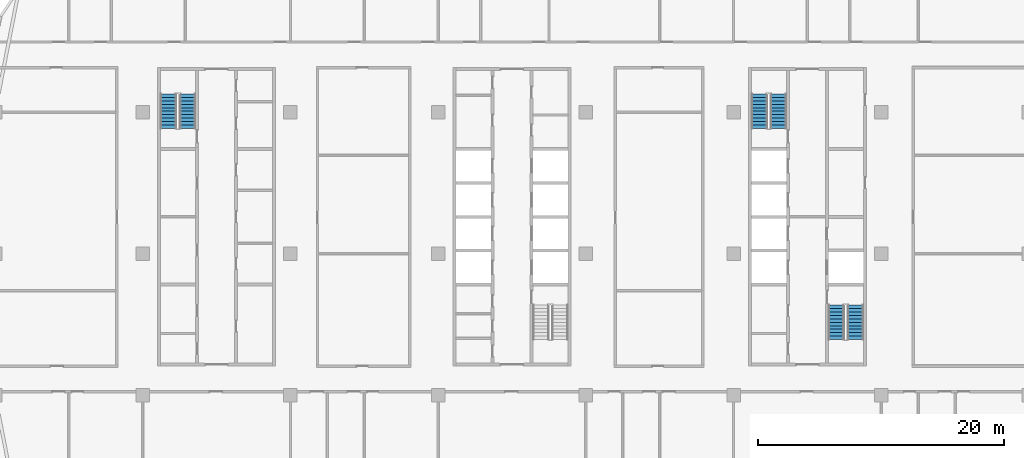
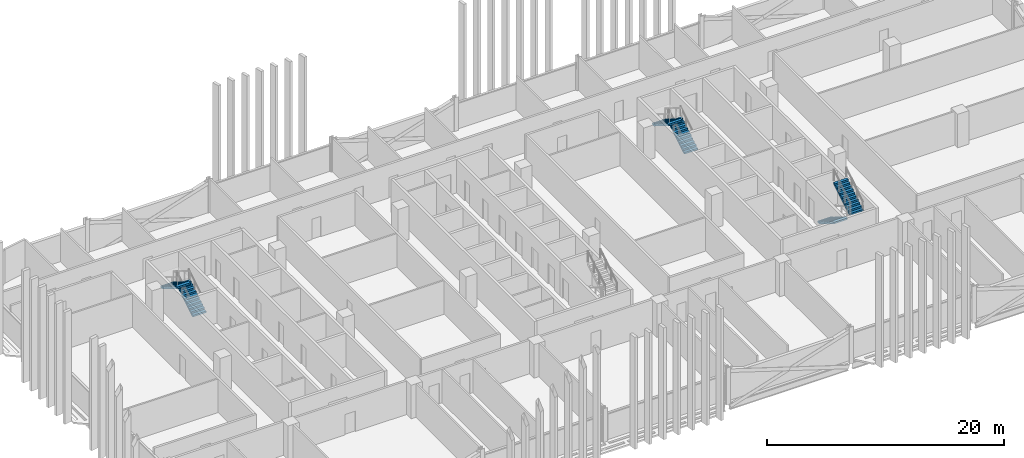
# One storey, part 19 of 30: 6 stair flights, 3 elements without a shape of their own.
"""IFC4 building model written with IfcOpenShell, lengths in metres."""

from ifc_helpers import new_model, si_unit, direction, frame, origin, place, context, subcontext, project, spatial, polyline, outline, extrude, material, type_object, element, aggregate, save


model = new_model("IFC4")

# Units and contexts
model_context = context("Model", 3, precision=1e-05, world=origin(), true_north=direction((0.0, 1.0)))
body_context = subcontext(model_context, "Body", "Model", "MODEL_VIEW")
ifc_project = project(units=[si_unit("LENGTHUNIT", "METRE"), si_unit("AREAUNIT", "SQUARE_METRE"), si_unit("VOLUMEUNIT", "CUBIC_METRE"), si_unit("PLANEANGLEUNIT", "RADIAN"), si_unit("MASSUNIT", "GRAM", prefix="KILO")], contexts=[model_context])

# Site, building, storey
site_placement = place(None, origin())
site = spatial("IfcSite", under=ifc_project, at=site_placement, CompositionType="ELEMENT")
building_placement = place(site_placement, origin())
building = spatial("IfcBuilding", under=site, at=building_placement, Name="Mahtab Terrace Research Tower", CompositionType="ELEMENT")
storey_placement = place(building_placement, frame((0.0, 0.0, 209.10009765625)))
storey = spatial("IfcBuildingStorey", under=building, at=storey_placement, Name="L50", CompositionType="ELEMENT", Elevation=209.10009765625)

# Stair, stair flights
ifc_material_1 = material(Name="Exit stair half-turn")
stair_type = type_object("IfcStairType", Name="Exit stair half-turn", PredefinedType="HALF_TURN_STAIR", material=ifc_material_1)
stair_1_placement = place(storey_placement, origin())
stair_1 = element("IfcStair", 1, at=stair_1_placement, inside=storey, type_object=stair_type, Name="L50 Protected exit stair ST1", PredefinedType="HALF_TURN_STAIR")
ifc_material_2 = material(Name="Concrete C40/50", Category="concrete")
stair_flight_type = type_object("IfcStairFlightType", Name="Exit stair flight 1300", PredefinedType="STRAIGHT", material=ifc_material_2)
stair_flight_1_placement = place(storey_placement, frame((-26.35009765625, 10.175048828125, 0.0), z_axis=(0.0, 0.0, 1.0), x_axis=(0.0, 1.0, 0.0)))
stair_flight_1 = element("IfcStairFlight", 2, at=stair_flight_1_placement, type_object=stair_flight_type, Name="ST1 flight 1", NumberOfRisers=11, NumberOfTreads=10, PredefinedType="STRAIGHT", RiserHeight=0.172727273, TreadLength=0.28, context=body_context, shape_type="SweptSolid", body=[
    extrude(outline(polyline([(0.0, 0.0), (0.0, 0.172607421875), (0.280029296875, 0.172607421875), (0.280029296875, 0.345458984375), (0.56005859375, 0.345458984375), (0.56005859375, 0.51806640625), (0.840087890625, 0.51806640625), (0.840087890625, 0.69091796875), (1.1201171875, 0.69091796875), (1.1201171875, 0.863525390625), (1.39990234375, 0.863525390625), (1.39990234375, 1.036376953125), (1.679931640625, 1.036376953125), (1.679931640625, 1.208984375), (1.9599609375, 1.208984375), (1.9599609375, 1.3818359375), (2.239990234375, 1.3818359375), (2.239990234375, 1.554443359375), (2.52001953125, 1.554443359375), (2.52001953125, 1.727294921875), (2.800048828125, 1.727294921875), (2.800048828125, 1.89990234375), (2.800048828125, 1.551025390625), (0.285400390625, 0.0), (0.0, 0.0)])), frame((0.0, 0.64990234375, 0.0), z_axis=(0.0, -1.0, 0.0), x_axis=(1.0, 0.0, 0.0)), (0.0, 0.0, 1.0), 1.300048828125),
])
stair_flight_2_placement = place(storey_placement, frame((-27.89990234375, 12.97509765625, 1.89990234375), z_axis=(0.0, 0.0, 1.0), x_axis=(0.0, -1.0, 0.0)))
stair_flight_2 = element("IfcStairFlight", 3, at=stair_flight_2_placement, type_object=stair_flight_type, Name="ST1 flight 2", NumberOfRisers=11, NumberOfTreads=10, PredefinedType="STRAIGHT", RiserHeight=0.172727273, TreadLength=0.28, context=body_context, shape_type="SweptSolid", body=[
    extrude(outline(polyline([(0.0, 0.0), (0.0, 0.172607421875), (0.280029296875, 0.172607421875), (0.280029296875, 0.345458984375), (0.56005859375, 0.345458984375), (0.56005859375, 0.51806640625), (0.840087890625, 0.51806640625), (0.840087890625, 0.69091796875), (1.1201171875, 0.69091796875), (1.1201171875, 0.863525390625), (1.39990234375, 0.863525390625), (1.39990234375, 1.036376953125), (1.679931640625, 1.036376953125), (1.679931640625, 1.208984375), (1.9599609375, 1.208984375), (1.9599609375, 1.3818359375), (2.239990234375, 1.3818359375), (2.239990234375, 1.554443359375), (2.52001953125, 1.554443359375), (2.52001953125, 1.727294921875), (2.800048828125, 1.727294921875), (2.800048828125, 1.89990234375), (2.800048828125, 1.551025390625), (0.285400390625, 0.0), (0.0, 0.0)])), frame((0.0, 0.64990234375, 0.0), z_axis=(0.0, -1.0, 0.0), x_axis=(1.0, 0.0, 0.0)), (0.0, 0.0, 1.0), 1.300048828125),
])
aggregate(stair_1, [stair_flight_1, stair_flight_2])

stair_2_placement = place(storey_placement, origin())
stair_2 = element("IfcStair", 4, at=stair_2_placement, inside=storey, type_object=stair_type, Name="L50 Protected exit stair ST3", PredefinedType="HALF_TURN_STAIR")
stair_flight_3_placement = place(storey_placement, frame((21.64990234375, 10.175048828125, 0.0), z_axis=(0.0, 0.0, 1.0), x_axis=(0.0, 1.0, 0.0)))
stair_flight_3 = element("IfcStairFlight", 5, at=stair_flight_3_placement, type_object=stair_flight_type, Name="ST3 flight 1", NumberOfRisers=11, NumberOfTreads=10, PredefinedType="STRAIGHT", RiserHeight=0.172727273, TreadLength=0.28, context=body_context, shape_type="SweptSolid", body=[
    extrude(outline(polyline([(0.0, 0.0), (0.0, 0.172607421875), (0.280029296875, 0.172607421875), (0.280029296875, 0.345458984375), (0.56005859375, 0.345458984375), (0.56005859375, 0.51806640625), (0.840087890625, 0.51806640625), (0.840087890625, 0.69091796875), (1.1201171875, 0.69091796875), (1.1201171875, 0.863525390625), (1.39990234375, 0.863525390625), (1.39990234375, 1.036376953125), (1.679931640625, 1.036376953125), (1.679931640625, 1.208984375), (1.9599609375, 1.208984375), (1.9599609375, 1.3818359375), (2.239990234375, 1.3818359375), (2.239990234375, 1.554443359375), (2.52001953125, 1.554443359375), (2.52001953125, 1.727294921875), (2.800048828125, 1.727294921875), (2.800048828125, 1.89990234375), (2.800048828125, 1.551025390625), (0.285400390625, 0.0), (0.0, 0.0)])), frame((0.0, 0.64990234375, 0.0), z_axis=(0.0, -1.0, 0.0), x_axis=(1.0, 0.0, 0.0)), (0.0, 0.0, 1.0), 1.300048828125),
])
stair_flight_4_placement = place(storey_placement, frame((20.10009765625, 12.97509765625, 1.89990234375), z_axis=(0.0, 0.0, 1.0), x_axis=(0.0, -1.0, 0.0)))
stair_flight_4 = element("IfcStairFlight", 6, at=stair_flight_4_placement, type_object=stair_flight_type, Name="ST3 flight 2", NumberOfRisers=11, NumberOfTreads=10, PredefinedType="STRAIGHT", RiserHeight=0.172727273, TreadLength=0.28, context=body_context, shape_type="SweptSolid", body=[
    extrude(outline(polyline([(0.0, 0.0), (0.0, 0.172607421875), (0.280029296875, 0.172607421875), (0.280029296875, 0.345458984375), (0.56005859375, 0.345458984375), (0.56005859375, 0.51806640625), (0.840087890625, 0.51806640625), (0.840087890625, 0.69091796875), (1.1201171875, 0.69091796875), (1.1201171875, 0.863525390625), (1.39990234375, 0.863525390625), (1.39990234375, 1.036376953125), (1.679931640625, 1.036376953125), (1.679931640625, 1.208984375), (1.9599609375, 1.208984375), (1.9599609375, 1.3818359375), (2.239990234375, 1.3818359375), (2.239990234375, 1.554443359375), (2.52001953125, 1.554443359375), (2.52001953125, 1.727294921875), (2.800048828125, 1.727294921875), (2.800048828125, 1.89990234375), (2.800048828125, 1.551025390625), (0.285400390625, 0.0), (0.0, 0.0)])), frame((0.0, 0.64990234375, 0.0), z_axis=(0.0, -1.0, 0.0), x_axis=(1.0, 0.0, 0.0)), (0.0, 0.0, 1.0), 1.300048828125),
])
aggregate(stair_2, [stair_flight_3, stair_flight_4])

stair_3_placement = place(storey_placement, origin())
stair_3 = element("IfcStair", 7, at=stair_3_placement, inside=storey, type_object=stair_type, Name="L50 Protected exit stair ST4", PredefinedType="HALF_TURN_STAIR")
stair_flight_5_placement = place(storey_placement, frame((26.35009765625, -4.175048828125, 0.0), z_axis=(0.0, 0.0, 1.0), x_axis=(0.0, -1.0, 0.0)))
stair_flight_5 = element("IfcStairFlight", 8, at=stair_flight_5_placement, type_object=stair_flight_type, Name="ST4 flight 1", NumberOfRisers=11, NumberOfTreads=10, PredefinedType="STRAIGHT", RiserHeight=0.172727273, TreadLength=0.28, context=body_context, shape_type="SweptSolid", body=[
    extrude(outline(polyline([(0.0, 0.0), (0.0, 0.172607421875), (0.280029296875, 0.172607421875), (0.280029296875, 0.345458984375), (0.56005859375, 0.345458984375), (0.56005859375, 0.51806640625), (0.840087890625, 0.51806640625), (0.840087890625, 0.69091796875), (1.1201171875, 0.69091796875), (1.1201171875, 0.863525390625), (1.39990234375, 0.863525390625), (1.39990234375, 1.036376953125), (1.679931640625, 1.036376953125), (1.679931640625, 1.208984375), (1.9599609375, 1.208984375), (1.9599609375, 1.3818359375), (2.239990234375, 1.3818359375), (2.239990234375, 1.554443359375), (2.52001953125, 1.554443359375), (2.52001953125, 1.727294921875), (2.800048828125, 1.727294921875), (2.800048828125, 1.89990234375), (2.800048828125, 1.551025390625), (0.285400390625, 0.0), (0.0, 0.0)])), frame((0.0, 0.64990234375, 0.0), z_axis=(0.0, -1.0, 0.0), x_axis=(1.0, 0.0, 0.0)), (0.0, 0.0, 1.0), 1.300048828125),
])
stair_flight_6_placement = place(storey_placement, frame((27.89990234375, -6.97509765625, 1.89990234375), z_axis=(0.0, 0.0, 1.0), x_axis=(0.0, 1.0, 0.0)))
stair_flight_6 = element("IfcStairFlight", 9, at=stair_flight_6_placement, type_object=stair_flight_type, Name="ST4 flight 2", NumberOfRisers=11, NumberOfTreads=10, PredefinedType="STRAIGHT", RiserHeight=0.172727273, TreadLength=0.28, context=body_context, shape_type="SweptSolid", body=[
    extrude(outline(polyline([(0.0, 0.0), (0.0, 0.172607421875), (0.280029296875, 0.172607421875), (0.280029296875, 0.345458984375), (0.56005859375, 0.345458984375), (0.56005859375, 0.51806640625), (0.840087890625, 0.51806640625), (0.840087890625, 0.69091796875), (1.1201171875, 0.69091796875), (1.1201171875, 0.863525390625), (1.39990234375, 0.863525390625), (1.39990234375, 1.036376953125), (1.679931640625, 1.036376953125), (1.679931640625, 1.208984375), (1.9599609375, 1.208984375), (1.9599609375, 1.3818359375), (2.239990234375, 1.3818359375), (2.239990234375, 1.554443359375), (2.52001953125, 1.554443359375), (2.52001953125, 1.727294921875), (2.800048828125, 1.727294921875), (2.800048828125, 1.89990234375), (2.800048828125, 1.551025390625), (0.285400390625, 0.0), (0.0, 0.0)])), frame((0.0, 0.64990234375, 0.0), z_axis=(0.0, -1.0, 0.0), x_axis=(1.0, 0.0, 0.0)), (0.0, 0.0, 1.0), 1.300048828125),
])
aggregate(stair_3, [stair_flight_5, stair_flight_6])

save(model, "model.ifc")
